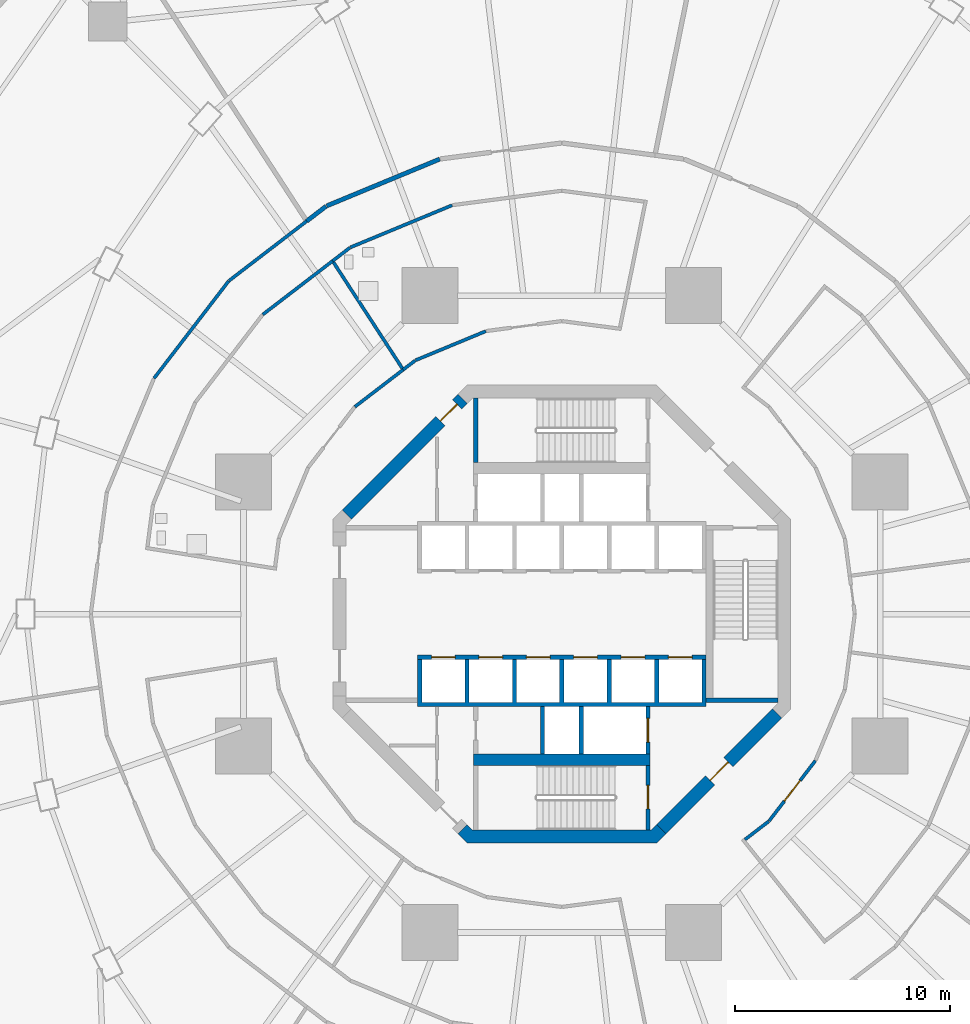
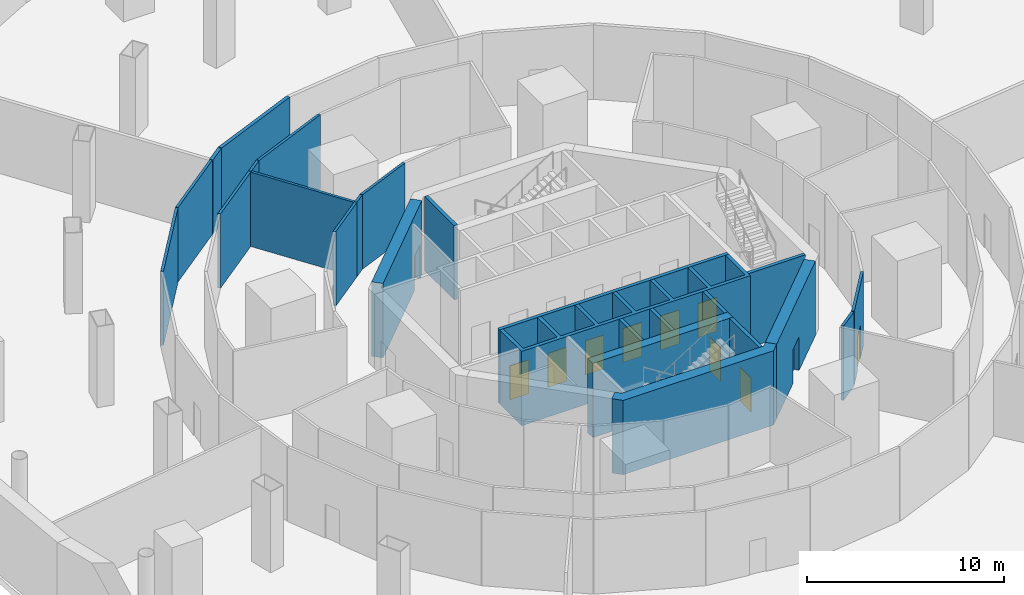
# One storey, part 8 of 14: 25 walls, 11 doors, 11 openings.
"""IFC4 building model written with IfcOpenShell, lengths in metres."""

from ifc_helpers import new_model, si_unit, direction, frame, frame_2d, origin, place, context, subcontext, project, spatial, polyline, rectangle, outline, extrude, material, layer, layer_set, type_object, element, fill, save


model = new_model("IFC4")

# Units and contexts
model_context = context("Model", 3, precision=1e-05, world=origin(), true_north=direction((0.0, 1.0)))
body_context = subcontext(model_context, "Body", "Model", "MODEL_VIEW")
ifc_project = project(units=[si_unit("LENGTHUNIT", "METRE"), si_unit("AREAUNIT", "SQUARE_METRE"), si_unit("VOLUMEUNIT", "CUBIC_METRE"), si_unit("PLANEANGLEUNIT", "RADIAN"), si_unit("MASSUNIT", "GRAM", prefix="KILO")], contexts=[model_context])

# Site, building, storey
site_placement = place(None, origin())
site = spatial("IfcSite", under=ifc_project, at=site_placement, CompositionType="ELEMENT")
building_placement = place(site_placement, origin())
building = spatial("IfcBuilding", under=site, at=building_placement, Name="Nagisa Residences", CompositionType="ELEMENT")
storey_placement = place(building_placement, frame((0.0, 0.0, -5.0)))
storey = spatial("IfcBuildingStorey", under=building, at=storey_placement, Name="B1", CompositionType="ELEMENT", Elevation=-5.0)

# Wall, opening, door
ifc_material_1 = material(Name="Concrete C60", Category="concrete")
ifc_layer_1 = layer(ifc_material_1, 0.60009765625)
ifc_layer_set_1 = layer_set([ifc_layer_1], Name="Core shear wall 600")
wall_type_1 = type_object("IfcWallType", Name="Core shear wall 600", PredefinedType="SHEAR", material=ifc_layer_set_1)
wall_1_placement = place(storey_placement, frame((-4.613037109375, 9.98828125, 0.0), z_axis=(0.0, 0.0, 1.0), x_axis=(-0.707106781187, -0.707106781187, 0.0)))
wall_1 = element("IfcWall", 1, at=wall_1_placement, inside=storey, type_object=wall_type_1, Name="wall:B1:core:flat3", PredefinedType="SHEAR", context=body_context, shape_type="SweptSolid", body=[
    extrude(rectangle(XDim=7.601806640625, YDim=0.60009765625, at=frame_2d((3.80078125, 0.0))), origin(), (0.0, 0.0, 1.0), 4.60009765625),
])
opening_1_placement = place(wall_1_placement, frame((0.350830078125, 0.0, 0.0)))
opening_1 = element("IfcOpeningElement", 2, at=opening_1_placement, cuts=wall_1, Name="Opening B1-C27", PredefinedType="OPENING", context=body_context, shape_type="SweptSolid", body=[
    extrude(rectangle(XDim=1.10009765625, YDim=2.10009765625, at=frame_2d((0.550048828125, 1.050048828125))), frame((0.0, 0.31005859375, 0.0), z_axis=(0.0, -1.0, 0.0), x_axis=(1.0, 0.0, 0.0)), (0.0, 0.0, 1.0), 0.6201171875),
])
ifc_material_2 = material(Name="Steel fire door", Category="steel")
door_type_1 = type_object("IfcDoorType", Name="Fire door EI60 1100x2100 single swing", OperationType="NOTDEFINED", PredefinedType="DOOR", material=ifc_material_2)
door_1_placement = place(opening_1_placement, origin())
door_1 = element("IfcDoor", 3, at=door_1_placement, inside=storey, type_object=door_type_1, Name="Service lobby door B1", OperationType="SINGLE_SWING_RIGHT", OverallHeight=2.10009765625, OverallWidth=1.10009765625, PredefinedType="DOOR", context=body_context, shape_type="SweptSolid", body=[
    extrude(rectangle(XDim=1.10009765625, YDim=2.10009765625, at=frame_2d((0.550048828125, 1.050048828125))), frame((0.0, 0.02490234375, 0.0), z_axis=(0.0, -1.0, 0.0), x_axis=(1.0, 0.0, 0.0)), (0.0, 0.0, 1.0), 0.050048828125),
])
fill(opening_1, door_1)

wall_2_placement = place(storey_placement, frame((4.613037109375, -9.98828125, 0.0), z_axis=(0.0, 0.0, 1.0), x_axis=(0.707106781187, 0.707106781187, 0.0)))
wall_2 = element("IfcWall", 4, at=wall_2_placement, inside=storey, type_object=wall_type_1, Name="wall:B1:core:flat7", PredefinedType="SHEAR", context=body_context, shape_type="SweptSolid", body=[
    extrude(rectangle(XDim=7.601806640625, YDim=0.60009765625, at=frame_2d((3.80078125, 0.0))), origin(), (0.0, 0.0, 1.0), 4.60009765625),
])
opening_2_placement = place(wall_2_placement, frame((3.200927734375, 0.0, 0.0)))
opening_2 = element("IfcOpeningElement", 5, at=opening_2_placement, cuts=wall_2, Name="Opening B1-C24", PredefinedType="OPENING", context=body_context, shape_type="SweptSolid", body=[
    extrude(rectangle(XDim=1.199951171875, YDim=2.10009765625, at=frame_2d((0.60009765625, 1.050048828125))), frame((0.0, 0.31005859375, 0.0), z_axis=(0.0, -1.0, 0.0), x_axis=(1.0, 0.0, 0.0)), (0.0, 0.0, 1.0), 0.6201171875),
])
ifc_material_3 = material(Name="Steel fire door", Category="steel")
door_type_2 = type_object("IfcDoorType", Name="Fire door EI60 1200x2100 single swing", OperationType="NOTDEFINED", PredefinedType="DOOR", material=ifc_material_3)
door_2_placement = place(opening_2_placement, origin())
door_2 = element("IfcDoor", 6, at=door_2_placement, inside=storey, type_object=door_type_2, Name="Firefighting lobby 2 door B1", OperationType="SINGLE_SWING_RIGHT", OverallHeight=2.10009765625, OverallWidth=1.199951171875, PredefinedType="DOOR", context=body_context, shape_type="SweptSolid", body=[
    extrude(rectangle(XDim=1.199951171875, YDim=2.10009765625, at=frame_2d((0.60009765625, 1.050048828125))), frame((0.0, 0.02490234375, 0.0), z_axis=(0.0, -1.0, 0.0), x_axis=(1.0, 0.0, 0.0)), (0.0, 0.0, 1.0), 0.050048828125),
])
fill(opening_2, door_2)

# Wall
wall_3_placement = place(storey_placement, origin())
element("IfcWall", 7, at=wall_3_placement, inside=storey, type_object=wall_type_1, Name="wall:B1:core:flat6", PredefinedType="SHEAR", context=body_context, shape_type="SweptSolid", body=[
    extrude(outline(polyline([(-4.15234375, -10.024658203125), (4.15234375, -10.024658203125), (4.40087890625, -9.776123046875), (4.8251953125, -10.200439453125), (4.40087890625, -10.62451171875), (-4.40087890625, -10.62451171875), (-4.8251953125, -10.200439453125), (-4.40087890625, -9.776123046875), (-4.15234375, -10.024658203125)])), origin(), (0.0, 0.0, 1.0), 4.60009765625),
])

# Wall, opening, door
ifc_material_4 = material(Name="Concrete C60", Category="concrete")
ifc_layer_2 = layer(ifc_material_4, 0.199951171875)
ifc_layer_set_2 = layer_set([ifc_layer_2], Name="Lift shaft wall 200")
wall_type_2 = type_object("IfcWallType", Name="Lift shaft wall 200", PredefinedType="SOLIDWALL", material=ifc_layer_set_2)
wall_4_placement = place(storey_placement, frame((4.0, -6.5, 0.0), z_axis=(0.0, 0.0, 1.0), x_axis=(0.0, 1.0, 0.0)))
wall_4 = element("IfcWall", 8, at=wall_4_placement, inside=storey, type_object=wall_type_2, Name="wall:B1:Sb3", PredefinedType="SOLIDWALL", context=body_context, shape_type="SweptSolid", body=[
    extrude(rectangle(XDim=2.199951171875, YDim=0.199951171875, at=frame_2d((1.10009765625, 0.0))), origin(), (0.0, 0.0, 1.0), 4.60009765625),
])
opening_3_placement = place(wall_4_placement, frame((0.550048828125, 0.0, 0.0)))
opening_3 = element("IfcOpeningElement", 9, at=opening_3_placement, cuts=wall_4, Name="Opening B1-C14", PredefinedType="OPENING", context=body_context, shape_type="SweptSolid", body=[
    extrude(rectangle(XDim=1.10009765625, YDim=2.10009765625, at=frame_2d((0.550048828125, 1.050048828125))), frame((0.0, 0.10986328125, 0.0), z_axis=(0.0, -1.0, 0.0), x_axis=(1.0, 0.0, 0.0)), (0.0, 0.0, 1.0), 0.219970703125),
])
ifc_material_5 = material(Name="Stainless steel", Category="steel")
door_type_3 = type_object("IfcDoorType", Name="Lift landing door 1100x2100", OperationType="DOUBLE_DOOR_SLIDING", PredefinedType="DOOR", material=ifc_material_5)
door_3_placement = place(opening_3_placement, origin())
door_3 = element("IfcDoor", 10, at=door_3_placement, inside=storey, type_object=door_type_3, Name="Landing door FL2 B1", OperationType="DOUBLE_DOOR_SLIDING", OverallHeight=2.10009765625, OverallWidth=1.10009765625, PredefinedType="DOOR", context=body_context, shape_type="SweptSolid", body=[
    extrude(rectangle(XDim=1.10009765625, YDim=2.10009765625, at=frame_2d((0.550048828125, 1.050048828125))), frame((0.0, 0.02490234375, 0.0), z_axis=(0.0, -1.0, 0.0), x_axis=(1.0, 0.0, 0.0)), (0.0, 0.0, 1.0), 0.050048828125),
])
fill(opening_3, door_3)

# Wall, openings, doors
wall_5_placement = place(storey_placement, frame((-6.699951171875, -2.0, 0.0), z_axis=(0.0, 0.0, 1.0), x_axis=(1.0, 0.0, 0.0)))
wall_5 = element("IfcWall", 11, at=wall_5_placement, inside=storey, type_object=wall_type_2, Name="wall:B1:Sfront", PredefinedType="SOLIDWALL", context=body_context, shape_type="SweptSolid", body=[
    extrude(rectangle(XDim=13.39990234375, YDim=0.199951171875, at=frame_2d((6.699951171875, 0.0))), origin(), (0.0, 0.0, 1.0), 4.60009765625),
])
opening_4_placement = place(wall_5_placement, frame((0.64990234375, 0.0, 0.0)))
opening_4 = element("IfcOpeningElement", 12, at=opening_4_placement, cuts=wall_5, Name="Opening B1-C07", PredefinedType="OPENING", context=body_context, shape_type="SweptSolid", body=[
    extrude(rectangle(XDim=1.10009765625, YDim=2.10009765625, at=frame_2d((0.550048828125, 1.050048828125))), frame((0.0, 0.10986328125, 0.0), z_axis=(0.0, -1.0, 0.0), x_axis=(1.0, 0.0, 0.0)), (0.0, 0.0, 1.0), 0.219970703125),
])
opening_5_placement = place(wall_5_placement, frame((2.85009765625, 0.0, 0.0)))
opening_5 = element("IfcOpeningElement", 13, at=opening_5_placement, cuts=wall_5, Name="Opening B1-C08", PredefinedType="OPENING", context=body_context, shape_type="SweptSolid", body=[
    extrude(rectangle(XDim=1.10009765625, YDim=2.10009765625, at=frame_2d((0.550048828125, 1.050048828125))), frame((0.0, 0.10986328125, 0.0), z_axis=(0.0, -1.0, 0.0), x_axis=(1.0, 0.0, 0.0)), (0.0, 0.0, 1.0), 0.219970703125),
])
opening_6_placement = place(wall_5_placement, frame((5.050048828125, 0.0, 0.0)))
opening_6 = element("IfcOpeningElement", 14, at=opening_6_placement, cuts=wall_5, Name="Opening B1-C09", PredefinedType="OPENING", context=body_context, shape_type="SweptSolid", body=[
    extrude(rectangle(XDim=1.10009765625, YDim=2.10009765625, at=frame_2d((0.550048828125, 1.050048828125))), frame((0.0, 0.10986328125, 0.0), z_axis=(0.0, -1.0, 0.0), x_axis=(1.0, 0.0, 0.0)), (0.0, 0.0, 1.0), 0.219970703125),
])
opening_7_placement = place(wall_5_placement, frame((7.25, 0.0, 0.0)))
opening_7 = element("IfcOpeningElement", 15, at=opening_7_placement, cuts=wall_5, Name="Opening B1-C10", PredefinedType="OPENING", context=body_context, shape_type="SweptSolid", body=[
    extrude(rectangle(XDim=1.10009765625, YDim=2.10009765625, at=frame_2d((0.550048828125, 1.050048828125))), frame((0.0, 0.10986328125, 0.0), z_axis=(0.0, -1.0, 0.0), x_axis=(1.0, 0.0, 0.0)), (0.0, 0.0, 1.0), 0.219970703125),
])
opening_8_placement = place(wall_5_placement, frame((9.449951171875, 0.0, 0.0)))
opening_8 = element("IfcOpeningElement", 16, at=opening_8_placement, cuts=wall_5, Name="Opening B1-C11", PredefinedType="OPENING", context=body_context, shape_type="SweptSolid", body=[
    extrude(rectangle(XDim=1.10009765625, YDim=2.10009765625, at=frame_2d((0.550048828125, 1.050048828125))), frame((0.0, 0.10986328125, 0.0), z_axis=(0.0, -1.0, 0.0), x_axis=(1.0, 0.0, 0.0)), (0.0, 0.0, 1.0), 0.219970703125),
])
opening_9_placement = place(wall_5_placement, frame((11.64990234375, 0.0, 0.0)))
opening_9 = element("IfcOpeningElement", 17, at=opening_9_placement, cuts=wall_5, Name="Opening B1-C12", PredefinedType="OPENING", context=body_context, shape_type="SweptSolid", body=[
    extrude(rectangle(XDim=1.10009765625, YDim=2.10009765625, at=frame_2d((0.550048828125, 1.050048828125))), frame((0.0, 0.10986328125, 0.0), z_axis=(0.0, -1.0, 0.0), x_axis=(1.0, 0.0, 0.0)), (0.0, 0.0, 1.0), 0.219970703125),
])
door_4_placement = place(opening_4_placement, origin())
door_4 = element("IfcDoor", 18, at=door_4_placement, inside=storey, type_object=door_type_3, Name="Landing door A4 B1", OperationType="DOUBLE_DOOR_SLIDING", OverallHeight=2.10009765625, OverallWidth=1.10009765625, PredefinedType="DOOR", context=body_context, shape_type="SweptSolid", body=[
    extrude(rectangle(XDim=1.10009765625, YDim=2.10009765625, at=frame_2d((0.550048828125, 1.050048828125))), frame((0.0, 0.02490234375, 0.0), z_axis=(0.0, -1.0, 0.0), x_axis=(1.0, 0.0, 0.0)), (0.0, 0.0, 1.0), 0.050048828125),
])
fill(opening_4, door_4)
door_5_placement = place(opening_5_placement, origin())
door_5 = element("IfcDoor", 19, at=door_5_placement, inside=storey, type_object=door_type_3, Name="Landing door A5 B1", OperationType="DOUBLE_DOOR_SLIDING", OverallHeight=2.10009765625, OverallWidth=1.10009765625, PredefinedType="DOOR", context=body_context, shape_type="SweptSolid", body=[
    extrude(rectangle(XDim=1.10009765625, YDim=2.10009765625, at=frame_2d((0.550048828125, 1.050048828125))), frame((0.0, 0.02490234375, 0.0), z_axis=(0.0, -1.0, 0.0), x_axis=(1.0, 0.0, 0.0)), (0.0, 0.0, 1.0), 0.050048828125),
])
fill(opening_5, door_5)
door_6_placement = place(opening_6_placement, origin())
door_6 = element("IfcDoor", 20, at=door_6_placement, inside=storey, type_object=door_type_3, Name="Landing door B3 B1", OperationType="DOUBLE_DOOR_SLIDING", OverallHeight=2.10009765625, OverallWidth=1.10009765625, PredefinedType="DOOR", context=body_context, shape_type="SweptSolid", body=[
    extrude(rectangle(XDim=1.10009765625, YDim=2.10009765625, at=frame_2d((0.550048828125, 1.050048828125))), frame((0.0, 0.02490234375, 0.0), z_axis=(0.0, -1.0, 0.0), x_axis=(1.0, 0.0, 0.0)), (0.0, 0.0, 1.0), 0.050048828125),
])
fill(opening_6, door_6)
door_7_placement = place(opening_7_placement, origin())
door_7 = element("IfcDoor", 21, at=door_7_placement, inside=storey, type_object=door_type_3, Name="Landing door B4 B1", OperationType="DOUBLE_DOOR_SLIDING", OverallHeight=2.10009765625, OverallWidth=1.10009765625, PredefinedType="DOOR", context=body_context, shape_type="SweptSolid", body=[
    extrude(rectangle(XDim=1.10009765625, YDim=2.10009765625, at=frame_2d((0.550048828125, 1.050048828125))), frame((0.0, 0.02490234375, 0.0), z_axis=(0.0, -1.0, 0.0), x_axis=(1.0, 0.0, 0.0)), (0.0, 0.0, 1.0), 0.050048828125),
])
fill(opening_7, door_7)
door_8_placement = place(opening_8_placement, origin())
door_8 = element("IfcDoor", 22, at=door_8_placement, inside=storey, type_object=door_type_3, Name="Landing door C2 B1", OperationType="DOUBLE_DOOR_SLIDING", OverallHeight=2.10009765625, OverallWidth=1.10009765625, PredefinedType="DOOR", context=body_context, shape_type="SweptSolid", body=[
    extrude(rectangle(XDim=1.10009765625, YDim=2.10009765625, at=frame_2d((0.550048828125, 1.050048828125))), frame((0.0, 0.02490234375, 0.0), z_axis=(0.0, -1.0, 0.0), x_axis=(1.0, 0.0, 0.0)), (0.0, 0.0, 1.0), 0.050048828125),
])
fill(opening_8, door_8)
door_9_placement = place(opening_9_placement, origin())
door_9 = element("IfcDoor", 23, at=door_9_placement, inside=storey, type_object=door_type_3, Name="Landing door C3 B1", OperationType="DOUBLE_DOOR_SLIDING", OverallHeight=2.10009765625, OverallWidth=1.10009765625, PredefinedType="DOOR", context=body_context, shape_type="SweptSolid", body=[
    extrude(rectangle(XDim=1.10009765625, YDim=2.10009765625, at=frame_2d((0.550048828125, 1.050048828125))), frame((0.0, 0.02490234375, 0.0), z_axis=(0.0, -1.0, 0.0), x_axis=(1.0, 0.0, 0.0)), (0.0, 0.0, 1.0), 0.050048828125),
])
fill(opening_9, door_9)

# Walls
for number, where, z_axis, x_axis, name in (
    (24, (-0.89990234375, -6.5, 0.0), (0.0, 0.0, 1.0), (0.0, 1.0, 0.0), "wall:B1:Sb1"),
    (25, (0.89990234375, -6.5, 0.0), (0.0, 0.0, 1.0), (0.0, 1.0, 0.0), "wall:B1:Sb2"),
):
    element("IfcWall", number, at=place(storey_placement, frame(where, z_axis=z_axis, x_axis=x_axis)), inside=storey, type_object=wall_type_2, Name=name, PredefinedType="SOLIDWALL", context=body_context, shape_type="SweptSolid", body=[
        extrude(rectangle(XDim=2.199951171875, YDim=0.199951171875, at=frame_2d((1.10009765625, 0.0))), origin(), (0.0, 0.0, 1.0), 4.60009765625),
    ])
wall_6_placement = place(storey_placement, origin())
element("IfcWall", 26, at=wall_6_placement, inside=storey, type_object=wall_type_2, Name="wall:B1:Sback", PredefinedType="SOLIDWALL", context=body_context, shape_type="SweptSolid", body=[
    extrude(outline(polyline([(-6.699951171875, -2.10009765625), (-6.5, -2.10009765625), (-6.5, -4.10009765625), (-4.5, -4.10009765625), (-4.5, -2.10009765625), (-4.300048828125, -2.10009765625), (-4.300048828125, -4.10009765625), (-2.300048828125, -4.10009765625), (-2.300048828125, -2.10009765625), (-2.10009765625, -2.10009765625), (-2.10009765625, -4.10009765625), (-0.10009765625, -4.10009765625), (-0.10009765625, -2.10009765625), (0.10009765625, -2.10009765625), (0.10009765625, -4.10009765625), (2.10009765625, -4.10009765625), (2.10009765625, -2.10009765625), (2.300048828125, -2.10009765625), (2.300048828125, -4.10009765625), (4.300048828125, -4.10009765625), (4.300048828125, -2.10009765625), (4.5, -2.10009765625), (4.5, -4.10009765625), (6.5, -4.10009765625), (6.5, -2.10009765625), (6.699951171875, -2.10009765625), (6.699951171875, -4.300048828125), (-6.699951171875, -4.300048828125), (-6.699951171875, -2.10009765625)])), origin(), (0.0, 0.0, 1.0), 4.60009765625),
])
ifc_material_6 = material(Name="Gypsum board on steel studs", Category="steel")
ifc_layer_3 = layer(ifc_material_6, 0.199951171875)
ifc_layer_set_3 = layer_set([ifc_layer_3], Name="Plant room wall EI120 200")
wall_type_3 = type_object("IfcWallType", Name="Plant room wall EI120 200", PredefinedType="PARTITIONING", material=ifc_layer_set_3)
wall_7_placement = place(storey_placement, frame((-11.84619140625, 18.24169921875, 0.0), z_axis=(0.0, 0.0, 1.0), x_axis=(0.793304484718, 0.608825093542, 0.0)))
element("IfcWall", 27, at=wall_7_placement, inside=storey, type_object=wall_type_3, Name="wall:B1:am088", PredefinedType="PARTITIONING", context=body_context, shape_type="SweptSolid", body=[
    extrude(rectangle(XDim=1.1328125, YDim=0.199951171875, at=frame_2d((0.56640625, 0.0))), origin(), (0.0, 0.0, 1.0), 4.60009765625),
])
wall_8_placement = place(storey_placement, frame((-10.92138671875, 18.9462890625, 0.0), z_axis=(0.0, 0.0, 1.0), x_axis=(0.923877460413, 0.382688434814, 0.0)))
element("IfcWall", 28, at=wall_8_placement, inside=storey, type_object=wall_type_3, Name="wall:B1:am089", PredefinedType="PARTITIONING", context=body_context, shape_type="SweptSolid", body=[
    extrude(rectangle(XDim=5.67919921875, YDim=0.199951171875, at=frame_2d((2.839599609375, 0.0))), origin(), (0.0, 0.0, 1.0), 4.60009765625),
])
ifc_material_7 = material(Name="Gypsum board on steel studs", Category="steel")
ifc_layer_4 = layer(ifc_material_7, 0.14990234375)
ifc_layer_set_4 = layer_set([ifc_layer_4], Name="Room partition EI60 150")
wall_type_4 = type_object("IfcWallType", Name="Room partition EI60 150", PredefinedType="PARTITIONING", material=ifc_layer_set_4)
wall_9_placement = place(storey_placement, frame((-18.933349609375, 10.94482421875, 0.0), z_axis=(0.0, 0.0, 1.0), x_axis=(0.608757822828, 0.793356107398, 0.0)))
element("IfcWall", 29, at=wall_9_placement, inside=storey, type_object=wall_type_4, Name="wall:B1:am010", PredefinedType="PARTITIONING", context=body_context, shape_type="SweptSolid", body=[
    extrude(rectangle(XDim=5.685546875, YDim=0.14990234375, at=frame_2d((2.8427734375, 0.0))), origin(), (0.0, 0.0, 1.0), 4.60009765625),
])
wall_10_placement = place(storey_placement, frame((-15.45556640625, 15.47216796875, 0.0), z_axis=(0.0, 0.0, 1.0), x_axis=(0.793357543816, 0.608755950829, 0.0)))
element("IfcWall", 30, at=wall_10_placement, inside=storey, type_object=wall_type_4, Name="wall:B1:am014", PredefinedType="PARTITIONING", context=body_context, shape_type="SweptSolid", body=[
    extrude(rectangle(XDim=4.549560546875, YDim=0.14990234375, at=frame_2d((2.27490234375, 0.0))), origin(), (0.0, 0.0, 1.0), 4.60009765625),
])
wall_11_placement = place(storey_placement, frame((-10.644287109375, 16.390869140625, 0.0), z_axis=(0.0, 0.0, 1.0), x_axis=(-0.793356294792, -0.608757578609, 0.0)))
element("IfcWall", 31, at=wall_11_placement, inside=storey, type_object=wall_type_4, Name="wall:B1:am027", PredefinedType="PARTITIONING", context=body_context, shape_type="SweptSolid", body=[
    extrude(rectangle(XDim=4.086669921875, YDim=0.14990234375, at=frame_2d((2.04345703125, 0.0))), origin(), (0.0, 0.0, 1.0), 4.60009765625),
])
wall_12_placement = place(storey_placement, frame((-9.835205078125, 17.01171875, 0.0), z_axis=(0.0, 0.0, 1.0), x_axis=(-0.793344280216, -0.608773236147, 0.0)))
element("IfcWall", 32, at=wall_12_placement, inside=storey, type_object=wall_type_4, Name="wall:B1:am029", PredefinedType="PARTITIONING", context=body_context, shape_type="SweptSolid", body=[
    extrude(rectangle(XDim=1.019775390625, YDim=0.14990234375, at=frame_2d((0.509765625, 0.0))), origin(), (0.0, 0.0, 1.0), 4.60009765625),
])
wall_13_placement = place(storey_placement, frame((-9.607177734375, 9.6240234375, 0.0), z_axis=(0.0, 0.0, 1.0), x_axis=(0.793375345407, 0.608732750311, 0.0)))
element("IfcWall", 33, at=wall_13_placement, inside=storey, type_object=wall_type_4, Name="wall:B1:am031", PredefinedType="PARTITIONING", context=body_context, shape_type="SweptSolid", body=[
    extrude(rectangle(XDim=2.82421875, YDim=0.14990234375, at=frame_2d((1.412109375, 0.0))), origin(), (0.0, 0.0, 1.0), 4.60009765625),
])
wall_14_placement = place(storey_placement, frame((-7.407470703125, 11.406494140625, 0.0), z_axis=(0.0, 0.0, 1.0), x_axis=(-0.544646109016, 0.838665973993, 0.0)))
element("IfcWall", 34, at=wall_14_placement, inside=storey, type_object=wall_type_4, Name="wall:B1:am034", PredefinedType="PARTITIONING", context=body_context, shape_type="SweptSolid", body=[
    extrude(rectangle(XDim=5.8681640625, YDim=0.14990234375, at=frame_2d((2.93408203125, 0.0))), origin(), (0.0, 0.0, 1.0), 4.60009765625),
])
wall_15_placement = place(storey_placement, frame((-7.366455078125, 11.34326171875, 0.0), z_axis=(0.0, 0.0, 1.0), x_axis=(0.793360087844, 0.608752635326, 0.0)))
element("IfcWall", 35, at=wall_15_placement, inside=storey, type_object=wall_type_4, Name="wall:B1:am035", PredefinedType="PARTITIONING", context=body_context, shape_type="SweptSolid", body=[
    extrude(rectangle(XDim=0.7021484375, YDim=0.14990234375, at=frame_2d((0.35107421875, 0.0))), origin(), (0.0, 0.0, 1.0), 4.60009765625),
])
wall_16_placement = place(storey_placement, frame((-6.7890625, 11.782470703125, 0.0), z_axis=(0.0, 0.0, 1.0), x_axis=(0.923881838111, 0.382677866108, 0.0)))
element("IfcWall", 36, at=wall_16_placement, inside=storey, type_object=wall_type_4, Name="wall:B1:am037", PredefinedType="PARTITIONING", context=body_context, shape_type="SweptSolid", body=[
    extrude(rectangle(XDim=3.52685546875, YDim=0.14990234375, at=frame_2d((1.763427734375, 0.0))), origin(), (0.0, 0.0, 1.0), 4.60009765625),
])
wall_17_placement = place(storey_placement, frame((-5.09716796875, 18.9775390625, 0.0), z_axis=(0.0, 0.0, 1.0), x_axis=(-0.923883976017, -0.382672704618, 0.0)))
element("IfcWall", 37, at=wall_17_placement, inside=storey, type_object=wall_type_4, Name="wall:B1:am040", PredefinedType="PARTITIONING", context=body_context, shape_type="SweptSolid", body=[
    extrude(rectangle(XDim=5.1064453125, YDim=0.14990234375, at=frame_2d((2.55322265625, 0.0))), origin(), (0.0, 0.0, 1.0), 4.60009765625),
])
wall_18_placement = place(storey_placement, frame((9.607177734375, -9.6240234375, 0.0), z_axis=(0.0, 0.0, 1.0), x_axis=(-0.793372285054, -0.608736738918, 0.0)))
element("IfcWall", 38, at=wall_18_placement, inside=storey, type_object=wall_type_4, Name="wall:B1:am055", PredefinedType="PARTITIONING", context=body_context, shape_type="SweptSolid", body=[
    extrude(rectangle(XDim=1.393798828125, YDim=0.14990234375, at=frame_2d((0.69677734375, 0.0))), origin(), (0.0, 0.0, 1.0), 4.60009765625),
])

# Wall, opening, door
wall_19_placement = place(storey_placement, frame((11.770751953125, -6.809326171875, 0.0), z_axis=(0.0, 0.0, 1.0), x_axis=(-0.608736710054, -0.793372307201, 0.0)))
wall_19 = element("IfcWall", 39, at=wall_19_placement, inside=storey, type_object=wall_type_4, Name="wall:B1:am058", PredefinedType="PARTITIONING", context=body_context, shape_type="SweptSolid", body=[
    extrude(rectangle(XDim=3.526611328125, YDim=0.14990234375, at=frame_2d((1.76318359375, 0.0))), origin(), (0.0, 0.0, 1.0), 4.60009765625),
])
opening_10_placement = place(wall_19_placement, frame((1.163330078125, 0.0, 0.0)))
opening_10 = element("IfcOpeningElement", 40, at=opening_10_placement, cuts=wall_19, Name="Opening B1-A06", PredefinedType="OPENING", context=body_context, shape_type="SweptSolid", body=[
    extrude(rectangle(XDim=1.199951171875, YDim=2.10009765625, at=frame_2d((0.60009765625, 1.050048828125))), frame((0.0, 0.0849609375, 0.0), z_axis=(0.0, -1.0, 0.0), x_axis=(1.0, 0.0, 0.0)), (0.0, 0.0, 1.0), 0.169921875),
])
ifc_material_8 = material(Name="Steel fire door", Category="steel")
door_type_4 = type_object("IfcDoorType", Name="Fire door EI30 1200x2100 single swing", OperationType="NOTDEFINED", PredefinedType="DOOR", material=ifc_material_8)
door_10_placement = place(opening_10_placement, frame((1.199951171875, 0.0, 0.0), x_axis=(-1.0, 0.0, 0.0)))
door_10 = element("IfcDoor", 41, at=door_10_placement, inside=storey, type_object=door_type_4, Name="Spa reception and lounge door", OperationType="SINGLE_SWING_RIGHT", OverallHeight=2.10009765625, OverallWidth=1.199951171875, PredefinedType="DOOR", context=body_context, shape_type="SweptSolid", body=[
    extrude(rectangle(XDim=1.199951171875, YDim=2.10009765625, at=frame_2d((0.60009765625, 1.050048828125))), frame((0.0, 0.02490234375, 0.0), z_axis=(0.0, -1.0, 0.0), x_axis=(1.0, 0.0, 0.0)), (0.0, 0.0, 1.0), 0.050048828125),
])
fill(opening_10, door_10)

ifc_material_9 = material(Name="Concrete C60", Category="concrete")
ifc_layer_5 = layer(ifc_material_9, 0.199951171875)
ifc_layer_set_5 = layer_set([ifc_layer_5], Name="Stair enclosure wall 200")
wall_type_5 = type_object("IfcWallType", Name="Stair enclosure wall 200", PredefinedType="SOLIDWALL", material=ifc_layer_set_5)
wall_20_placement = place(storey_placement, frame((4.0, -10.024658203125, 0.0), z_axis=(0.0, 0.0, 1.0), x_axis=(0.0, 1.0, 0.0)))
wall_20 = element("IfcWall", 42, at=wall_20_placement, inside=storey, type_object=wall_type_5, Name="wall:B1:SS_e", PredefinedType="SOLIDWALL", context=body_context, shape_type="SweptSolid", body=[
    extrude(rectangle(XDim=3.0, YDim=0.199951171875, at=frame_2d((1.5, 0.0))), origin(), (0.0, 0.0, 1.0), 4.60009765625),
])
opening_11_placement = place(wall_20_placement, frame((0.974609375, 0.0, 0.0)))
opening_11 = element("IfcOpeningElement", 43, at=opening_11_placement, cuts=wall_20, Name="Opening B1-C18", PredefinedType="OPENING", context=body_context, shape_type="SweptSolid", body=[
    extrude(rectangle(XDim=1.10009765625, YDim=2.10009765625, at=frame_2d((0.550048828125, 1.050048828125))), frame((0.0, 0.10986328125, 0.0), z_axis=(0.0, -1.0, 0.0), x_axis=(1.0, 0.0, 0.0)), (0.0, 0.0, 1.0), 0.219970703125),
])
ifc_material_10 = material(Name="Steel fire door", Category="steel")
door_type_5 = type_object("IfcDoorType", Name="Fire door EI90 1100x2100 single swing", OperationType="NOTDEFINED", PredefinedType="DOOR", material=ifc_material_10)
door_11_placement = place(opening_11_placement, origin())
door_11 = element("IfcDoor", 44, at=door_11_placement, inside=storey, type_object=door_type_5, Name="Stair door ST-S B1", OperationType="SINGLE_SWING_RIGHT", OverallHeight=2.10009765625, OverallWidth=1.10009765625, PredefinedType="DOOR", context=body_context, shape_type="SweptSolid", body=[
    extrude(rectangle(XDim=1.10009765625, YDim=2.10009765625, at=frame_2d((0.550048828125, 1.050048828125))), frame((0.0, 0.02490234375, 0.0), z_axis=(0.0, -1.0, 0.0), x_axis=(1.0, 0.0, 0.0)), (0.0, 0.0, 1.0), 0.050048828125),
])
fill(opening_11, door_11)

# Walls
wall_21_placement = place(storey_placement, origin())
element("IfcWall", 45, at=wall_21_placement, inside=storey, type_object=wall_type_5, Name="wall:B1:SN_w", PredefinedType="SOLIDWALL", context=body_context, shape_type="SweptSolid", body=[
    extrude(outline(polyline([(-3.89990234375, 7.024658203125), (-4.10009765625, 7.024658203125), (-4.10009765625, 10.024658203125), (-3.89990234375, 10.024658203125), (-3.89990234375, 7.024658203125)])), origin(), (0.0, 0.0, 1.0), 4.60009765625),
])
wall_22_placement = place(storey_placement, origin())
element("IfcWall", 46, at=wall_22_placement, inside=storey, type_object=wall_type_5, Name="wall:B1:SS_n", PredefinedType="SOLIDWALL", context=body_context, shape_type="SweptSolid", body=[
    extrude(outline(polyline([(4.10009765625, -7.024658203125), (-4.10009765625, -7.024658203125), (-4.10009765625, -6.5), (4.10009765625, -6.5), (4.10009765625, -7.024658203125)])), origin(), (0.0, 0.0, 1.0), 4.60009765625),
])
wall_23_placement = place(storey_placement, origin())
element("IfcWall", 47, at=wall_23_placement, inside=storey, type_object=wall_type_5, Name="wall:B1:SE_s", PredefinedType="SOLIDWALL", context=body_context, shape_type="SweptSolid", body=[
    extrude(outline(polyline([(10.024658203125, -4.10009765625), (6.699951171875, -4.10009765625), (6.699951171875, -3.89990234375), (10.024658203125, -3.89990234375), (10.024658203125, -4.10009765625)])), origin(), (0.0, 0.0, 1.0), 4.60009765625),
])

save(model, "model.ifc")
